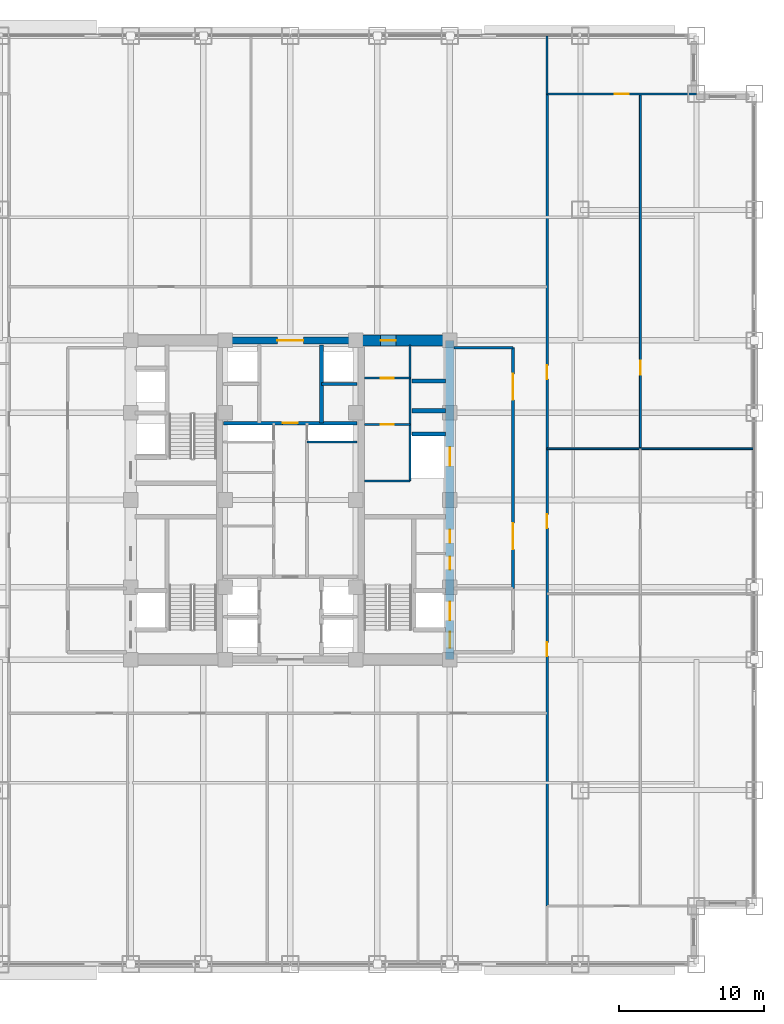
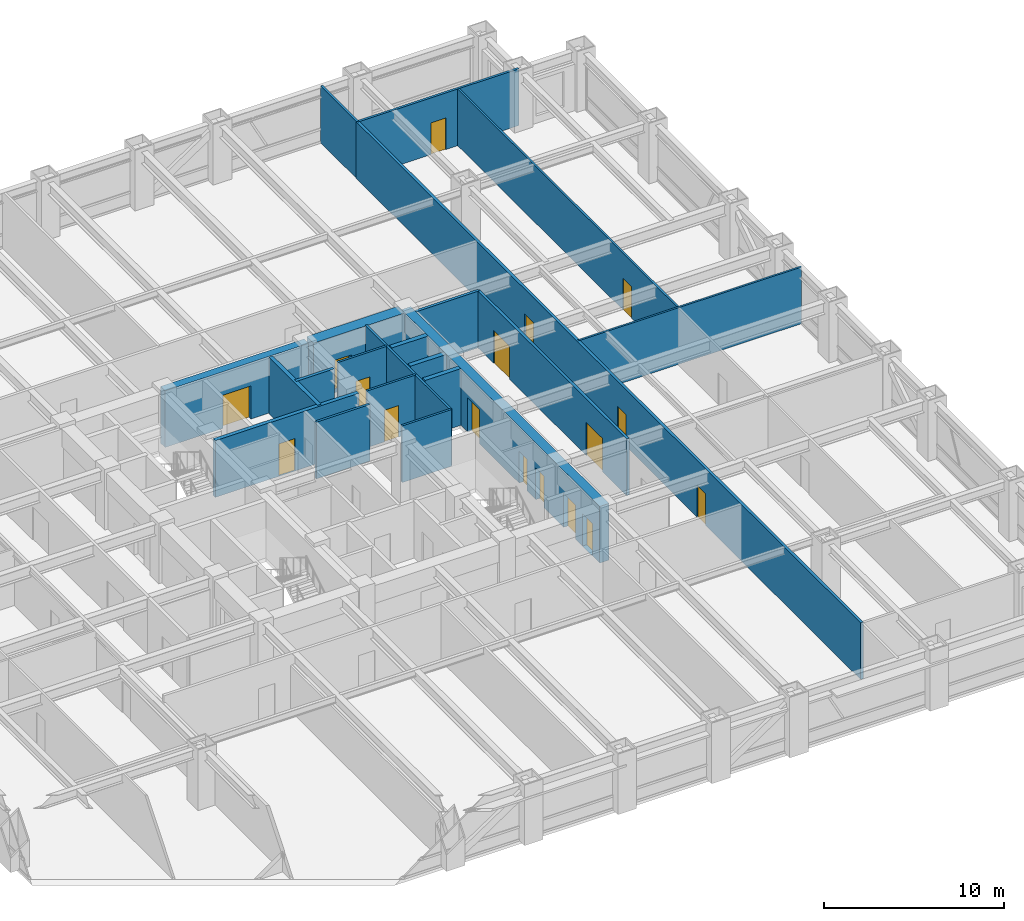
# One storey, part 26 of 32: 21 walls, 17 doors, 17 openings.
"""IFC4 building model written with IfcOpenShell, lengths in metres."""

from ifc_helpers import new_model, si_unit, direction, frame, frame_2d, origin, place, context, subcontext, project, spatial, rectangle, extrude, source, transform, mapped, material, layer, layer_set, type_object, element, fill, save


model = new_model("IFC4")

# Units and contexts
model_context = context("Model", 3, precision=1e-05, world=origin(), true_north=direction((0.0, 1.0)))
body_context = subcontext(model_context, "Body", "Model", "MODEL_VIEW")
ifc_project = project(units=[si_unit("LENGTHUNIT", "METRE"), si_unit("AREAUNIT", "SQUARE_METRE"), si_unit("VOLUMEUNIT", "CUBIC_METRE"), si_unit("PLANEANGLEUNIT", "RADIAN"), si_unit("MASSUNIT", "GRAM", prefix="KILO")], contexts=[model_context])

# Site, building, storey
site_placement = place(None, origin())
site = spatial("IfcSite", under=ifc_project, at=site_placement, CompositionType="ELEMENT")
building_placement = place(site_placement, origin())
building = spatial("IfcBuilding", under=site, at=building_placement, Name="Khorayat Bourse Tower", CompositionType="ELEMENT")
storey_placement = place(building_placement, frame((0.0, 0.0, 128.300048828125)))
storey = spatial("IfcBuildingStorey", under=building, at=storey_placement, Name="L29", CompositionType="ELEMENT", Elevation=128.300048828125)

# Wall, openings, doors
ifc_material_1 = material(Name="Concrete C60/75", Category="concrete")
ifc_layer_1 = layer(ifc_material_1, 0.60009765625)
ifc_layer_set_1 = layer_set([ifc_layer_1], Name="Concrete C60/75")
wall_type_1 = type_object("IfcWallType", Name="WAL-CORE-600", PredefinedType="SHEAR", material=ifc_layer_set_1)
shared_shape_1 = source(origin(), body_context, "Body", "SweptSolid", [
    extrude(rectangle(XDim=22.0, YDim=0.60009765625, at=frame_2d((11.0, 0.0))), origin(), (0.0, 0.0, 1.0), 3.83984375),
])
wall_1_placement = place(storey_placement, frame((11.0, -11.0, 0.0), z_axis=(0.0, 0.0, 1.0), x_axis=(0.0, 1.0, 0.0)))
wall_1 = element("IfcWall", 1, at=wall_1_placement, inside=storey, type_object=wall_type_1, Name="L29 Core Shear Wall CORE-E", PredefinedType="SHEAR", context=body_context, shape_type="MappedRepresentation", body=[
    mapped(shared_shape_1, transform((0.0, 0.0, 0.0), scale=1.0)),
])
shared_shape_2 = source(origin(), body_context, "Body", "SweptSolid", [
    extrude(rectangle(XDim=1.10009765625, YDim=2.199951171875, at=frame_2d((0.550048828125, 1.10009765625))), frame((0.0, 0.31005859375, 0.0), z_axis=(0.0, -1.0, 0.0), x_axis=(1.0, 0.0, 0.0)), (0.0, 0.0, 1.0), 0.6201171875),
])
opening_1_placement = place(wall_1_placement, frame((0.800048828125, 0.0, 0.0)))
opening_1 = element("IfcOpeningElement", 2, at=opening_1_placement, cuts=wall_1, Name="Opening DI-01", PredefinedType="OPENING", context=body_context, shape_type="MappedRepresentation", body=[
    mapped(shared_shape_2, transform((0.0, 0.0, 0.0), scale=1.0)),
])
shared_shape_3 = source(origin(), body_context, "Body", "SweptSolid", [
    extrude(rectangle(XDim=0.89990234375, YDim=2.14990234375, at=frame_2d((0.449951171875, 1.074951171875))), frame((0.0, 0.31005859375, 0.0), z_axis=(0.0, -1.0, 0.0), x_axis=(1.0, 0.0, 0.0)), (0.0, 0.0, 1.0), 0.6201171875),
])
opening_2_placement = place(wall_1_placement, frame((6.199951171875, 0.0, 0.0)))
opening_2 = element("IfcOpeningElement", 3, at=opening_2_placement, cuts=wall_1, Name="Opening DI-06", PredefinedType="OPENING", context=body_context, shape_type="MappedRepresentation", body=[
    mapped(shared_shape_3, transform((0.0, 0.0, 0.0), scale=1.0)),
])
opening_3_placement = place(wall_1_placement, frame((8.050048828125, 0.0, 0.0)))
opening_3 = element("IfcOpeningElement", 4, at=opening_3_placement, cuts=wall_1, Name="Opening DI-06", PredefinedType="OPENING", context=body_context, shape_type="MappedRepresentation", body=[
    mapped(shared_shape_3, transform((0.0, 0.0, 0.0), scale=1.0)),
])
shared_shape_4 = source(origin(), body_context, "Body", "SweptSolid", [
    extrude(rectangle(XDim=1.300048828125, YDim=2.300048828125, at=frame_2d((0.64990234375, 1.14990234375))), frame((0.0, 0.31005859375, 0.0), z_axis=(0.0, -1.0, 0.0), x_axis=(1.0, 0.0, 0.0)), (0.0, 0.0, 1.0), 0.6201171875),
])
opening_4_placement = place(wall_1_placement, frame((2.699951171875, 0.0, 0.0)))
opening_4 = element("IfcOpeningElement", 5, at=opening_4_placement, cuts=wall_1, Name="Opening LD-02", PredefinedType="OPENING", context=body_context, shape_type="MappedRepresentation", body=[
    mapped(shared_shape_4, transform((0.0, 0.0, 0.0), scale=1.0)),
])
opening_5_placement = place(wall_1_placement, frame((13.35009765625, 0.0, 0.0)))
opening_5 = element("IfcOpeningElement", 6, at=opening_5_placement, cuts=wall_1, Name="Opening LD-02", PredefinedType="OPENING", context=body_context, shape_type="MappedRepresentation", body=[
    mapped(shared_shape_4, transform((0.0, 0.0, 0.0), scale=1.0)),
])
ifc_material_2 = material(Name="Fire-rated steel acoustic leaf", Category="steel")
door_type_1 = type_object("IfcDoorType", Name="DR-INT-STAIR-1100", OperationType="NOTDEFINED", PredefinedType="DOOR", material=ifc_material_2)
shared_shape_5 = source(origin(), body_context, "Body", "SweptSolid", [
    extrude(rectangle(XDim=1.10009765625, YDim=2.199951171875, at=frame_2d((0.550048828125, 1.10009765625))), frame((0.0, 0.02490234375, 0.0), z_axis=(0.0, -1.0, 0.0), x_axis=(1.0, 0.0, 0.0)), (0.0, 0.0, 1.0), 0.050048828125),
])
door_1_placement = place(opening_1_placement, origin())
door_1 = element("IfcDoor", 7, at=door_1_placement, inside=storey, type_object=door_type_1, Name="L29 Exit Stair 3 Door", OperationType="SINGLE_SWING_LEFT", OverallHeight=2.199951171875, OverallWidth=1.10009765625, PredefinedType="DOOR", context=body_context, shape_type="MappedRepresentation", body=[
    mapped(shared_shape_5, transform((0.0, 0.0, 0.0), scale=1.0)),
])
fill(opening_1, door_1)
ifc_material_3 = material(Name="Moisture-resistant laminate washroom door")
door_type_2 = type_object("IfcDoorType", Name="DR-INT-WC-900", OperationType="NOTDEFINED", PredefinedType="DOOR", material=ifc_material_3)
shared_shape_6 = source(origin(), body_context, "Body", "SweptSolid", [
    extrude(rectangle(XDim=0.89990234375, YDim=2.14990234375, at=frame_2d((0.449951171875, 1.074951171875))), frame((0.0, 0.02490234375, 0.0), z_axis=(0.0, -1.0, 0.0), x_axis=(1.0, 0.0, 0.0)), (0.0, 0.0, 1.0), 0.050048828125),
])
door_2_placement = place(opening_2_placement, origin())
door_2 = element("IfcDoor", 8, at=door_2_placement, inside=storey, type_object=door_type_2, Name="L29 Comms Closet Door", OperationType="SINGLE_SWING_LEFT", OverallHeight=2.14990234375, OverallWidth=0.89990234375, PredefinedType="DOOR", context=body_context, shape_type="MappedRepresentation", body=[
    mapped(shared_shape_6, transform((0.0, 0.0, 0.0), scale=1.0)),
])
fill(opening_2, door_2)
door_3_placement = place(opening_3_placement, origin())
door_3 = element("IfcDoor", 9, at=door_3_placement, inside=storey, type_object=door_type_2, Name="L29 Cleaner Store Door", OperationType="SINGLE_SWING_RIGHT", OverallHeight=2.14990234375, OverallWidth=0.89990234375, PredefinedType="DOOR", context=body_context, shape_type="MappedRepresentation", body=[
    mapped(shared_shape_6, transform((0.0, 0.0, 0.0), scale=1.0)),
])
fill(opening_3, door_3)
ifc_material_4 = material(Name="Fire-rated stainless-steel sliding landing door", Category="steel")
door_type_3 = type_object("IfcDoorType", Name="DR-LIFT-FF-1300", OperationType="NOTDEFINED", PredefinedType="DOOR", material=ifc_material_4)
shared_shape_7 = source(origin(), body_context, "Body", "SweptSolid", [
    extrude(rectangle(XDim=1.300048828125, YDim=2.300048828125, at=frame_2d((0.64990234375, 1.14990234375))), frame((0.0, 0.02490234375, 0.0), z_axis=(0.0, -1.0, 0.0), x_axis=(1.0, 0.0, 0.0)), (0.0, 0.0, 1.0), 0.050048828125),
])
door_4_placement = place(opening_4_placement, origin())
door_4 = element("IfcDoor", 10, at=door_4_placement, inside=storey, type_object=door_type_3, Name="L29 Lift FFL-02 Sliding Landing Door", OperationType="SLIDING_TO_LEFT", OverallHeight=2.300048828125, OverallWidth=1.300048828125, PredefinedType="DOOR", context=body_context, shape_type="MappedRepresentation", body=[
    mapped(shared_shape_7, transform((0.0, 0.0, 0.0), scale=1.0)),
])
fill(opening_4, door_4)
door_5_placement = place(opening_5_placement, origin())
door_5 = element("IfcDoor", 11, at=door_5_placement, inside=storey, type_object=door_type_3, Name="L29 Lift SVL-01 Sliding Landing Door", OperationType="SLIDING_TO_LEFT", OverallHeight=2.300048828125, OverallWidth=1.300048828125, PredefinedType="DOOR", context=body_context, shape_type="MappedRepresentation", body=[
    mapped(shared_shape_7, transform((0.0, 0.0, 0.0), scale=1.0)),
])
fill(opening_5, door_5)

# Wall, opening, door
ifc_material_5 = material(Name="Concrete C72/90", Category="concrete")
ifc_layer_2 = layer(ifc_material_5, 0.75)
ifc_layer_set_2 = layer_set([ifc_layer_2], Name="Concrete C72/90")
wall_type_2 = type_object("IfcWallType", Name="WAL-CORE-750", PredefinedType="SHEAR", material=ifc_layer_set_2)
shared_shape_8 = source(origin(), body_context, "Body", "SweptSolid", [
    extrude(rectangle(XDim=5.849853515625, YDim=0.75, at=frame_2d((2.9248046875, 0.0))), origin(), (0.0, 0.0, 1.0), 3.83984375),
])
wall_2_placement = place(storey_placement, frame((4.85009765625, 11.0, 0.0), z_axis=(0.0, 0.0, 1.0), x_axis=(1.0, 0.0, 0.0)))
wall_2 = element("IfcWall", 12, at=wall_2_placement, inside=storey, type_object=wall_type_2, Name="L29 Core Shear Wall PIER-EN", PredefinedType="SHEAR", context=body_context, shape_type="MappedRepresentation", body=[
    mapped(shared_shape_8, transform((0.0, 0.0, 0.0), scale=1.0)),
])
shared_shape_9 = source(origin(), body_context, "Body", "SweptSolid", [
    extrude(rectangle(XDim=1.050048828125, YDim=2.199951171875, at=frame_2d((0.52490234375, 1.10009765625))), frame((0.0, 0.385009765625, 0.0), z_axis=(0.0, -1.0, 0.0), x_axis=(1.0, 0.0, 0.0)), (0.0, 0.0, 1.0), 0.77001953125),
])
opening_6_placement = place(wall_2_placement, frame((1.375, 0.0, 0.0)))
opening_6 = element("IfcOpeningElement", 13, at=opening_6_placement, cuts=wall_2, Name="Opening DI-04", PredefinedType="OPENING", context=body_context, shape_type="MappedRepresentation", body=[
    mapped(shared_shape_9, transform((0.0, 0.0, 0.0), scale=1.0)),
])
ifc_material_6 = material(Name="Fire-rated oak veneer suite entrance door")
door_type_4 = type_object("IfcDoorType", Name="DR-INT-SUITE-1050", OperationType="NOTDEFINED", PredefinedType="DOOR", material=ifc_material_6)
shared_shape_10 = source(origin(), body_context, "Body", "SweptSolid", [
    extrude(rectangle(XDim=1.050048828125, YDim=2.199951171875, at=frame_2d((0.52490234375, 1.10009765625))), frame((0.0, 0.02490234375, 0.0), z_axis=(0.0, -1.0, 0.0), x_axis=(1.0, 0.0, 0.0)), (0.0, 0.0, 1.0), 0.050048828125),
])
door_6_placement = place(opening_6_placement, origin())
door_6 = element("IfcDoor", 14, at=door_6_placement, inside=storey, type_object=door_type_4, Name="L29 Core Washroom Lobby Door", OperationType="SINGLE_SWING_LEFT", OverallHeight=2.199951171875, OverallWidth=1.050048828125, PredefinedType="DOOR", context=body_context, shape_type="MappedRepresentation", body=[
    mapped(shared_shape_10, transform((0.0, 0.0, 0.0), scale=1.0)),
])
fill(opening_6, door_6)

ifc_material_7 = material(Name="Concrete C52/65", Category="concrete")
ifc_layer_3 = layer(ifc_material_7, 0.5)
ifc_layer_set_3 = layer_set([ifc_layer_3], Name="Concrete C52/65")
wall_type_3 = type_object("IfcWallType", Name="WAL-CORE-500", PredefinedType="SHEAR", material=ifc_layer_set_3)
shared_shape_11 = source(origin(), body_context, "Body", "SweptSolid", [
    extrude(rectangle(XDim=9.2001953125, YDim=0.5, at=frame_2d((4.60009765625, 0.0))), origin(), (0.0, 0.0, 1.0), 3.83984375),
])
wall_3_placement = place(storey_placement, frame((-4.60009765625, 11.0, 0.0), z_axis=(0.0, 0.0, 1.0), x_axis=(1.0, 0.0, 0.0)))
wall_3 = element("IfcWall", 15, at=wall_3_placement, inside=storey, type_object=wall_type_3, Name="L29 Core Shear Wall CORE-N", PredefinedType="SHEAR", context=body_context, shape_type="MappedRepresentation", body=[
    mapped(shared_shape_11, transform((0.0, 0.0, 0.0), scale=1.0)),
])
shared_shape_12 = source(origin(), body_context, "Body", "SweptSolid", [
    extrude(rectangle(XDim=1.800048828125, YDim=2.25, at=frame_2d((0.89990234375, 1.125))), frame((0.0, 0.260009765625, 0.0), z_axis=(0.0, -1.0, 0.0), x_axis=(1.0, 0.0, 0.0)), (0.0, 0.0, 1.0), 0.52001953125),
])
opening_7_placement = place(wall_3_placement, frame((3.699951171875, 0.0, 0.0)))
opening_7 = element("IfcOpeningElement", 16, at=opening_7_placement, cuts=wall_3, Name="Opening DI-03", PredefinedType="OPENING", context=body_context, shape_type="MappedRepresentation", body=[
    mapped(shared_shape_12, transform((0.0, 0.0, 0.0), scale=1.0)),
])
ifc_material_8 = material(Name="Fire-rated hardwood vision-panel double leaf", Category="wood")
door_type_5 = type_object("IfcDoorType", Name="DR-INT-CORR-1800", OperationType="NOTDEFINED", PredefinedType="DOOR", material=ifc_material_8)
shared_shape_13 = source(origin(), body_context, "Body", "SweptSolid", [
    extrude(rectangle(XDim=1.800048828125, YDim=2.25, at=frame_2d((0.89990234375, 1.125))), frame((0.0, 0.02490234375, 0.0), z_axis=(0.0, -1.0, 0.0), x_axis=(1.0, 0.0, 0.0)), (0.0, 0.0, 1.0), 0.050048828125),
])
door_7_placement = place(opening_7_placement, origin())
door_7 = element("IfcDoor", 17, at=door_7_placement, inside=storey, type_object=door_type_5, Name="L29 Mid-Rise Lift Lobby Door", OperationType="SINGLE_SWING_RIGHT", OverallHeight=2.25, OverallWidth=1.800048828125, PredefinedType="DOOR", context=body_context, shape_type="MappedRepresentation", body=[
    mapped(shared_shape_13, transform((0.0, 0.0, 0.0), scale=1.0)),
])
fill(opening_7, door_7)

# Walls
ifc_material_9 = material(Name="Concrete C50/60", Category="concrete")
ifc_layer_4 = layer(ifc_material_9, 0.300048828125)
ifc_layer_set_4 = layer_set([ifc_layer_4], Name="Concrete C50/60")
wall_type_4 = type_object("IfcWallType", Name="WAL-SHAFT-300", PredefinedType="SHEAR", material=ifc_layer_set_4)
shared_shape_14 = source(origin(), body_context, "Body", "SweptSolid", [
    extrude(rectangle(XDim=2.300048828125, YDim=0.300048828125, at=frame_2d((1.14990234375, 0.0))), origin(), (0.0, 0.0, 1.0), 3.83984375),
])
for number, where, z_axis, x_axis, name in (
    (18, (8.39990234375, 4.550048828125, 0.0), (0.0, 0.0, 1.0), (1.0, 0.0, 0.0), "L29 Partition WAL-L29-EPIER-SVLN"),
    (19, (8.39990234375, 6.14990234375, 0.0), (0.0, 0.0, 1.0), (1.0, 0.0, 0.0), "L29 Partition WAL-L29-EPIER-H3S"),
    (20, (8.39990234375, 8.199951171875, 0.0), (0.0, 0.0, 1.0), (1.0, 0.0, 0.0), "L29 Partition WAL-L29-EPIER-H34"),
):
    element("IfcWall", number, at=place(storey_placement, frame(where, z_axis=z_axis, x_axis=x_axis)), inside=storey, type_object=wall_type_4, Name=name, PredefinedType="SHEAR", context=body_context, shape_type="MappedRepresentation", body=[
        mapped(shared_shape_14, transform((0.0, 0.0, 0.0), scale=1.0)),
    ])
ifc_material_10 = material(Name="Moisture-resistant masonry partition", Category="masonry")
ifc_layer_5 = layer(ifc_material_10, 0.139892578125)
ifc_layer_set_5 = layer_set([ifc_layer_5], Name="Moisture-resistant masonry partition")
wall_type_5 = type_object("IfcWallType", Name="WAL-PART-WET-140", PredefinedType="PARTITIONING", material=ifc_layer_set_5)
shared_shape_15 = source(origin(), body_context, "Body", "SweptSolid", [
    extrude(rectangle(XDim=9.39990234375, YDim=0.139892578125, at=frame_2d((4.699951171875, 0.0))), origin(), (0.0, 0.0, 1.0), 3.83984375),
])
wall_4_placement = place(storey_placement, frame((8.25, 1.300048828125, 0.0), z_axis=(0.0, 0.0, 1.0), x_axis=(0.0, 1.0, 0.0)))
element("IfcWall", 21, at=wall_4_placement, inside=storey, type_object=wall_type_5, Name="L29 Partition WAL-L29-ECORE-E", PredefinedType="PARTITIONING", context=body_context, shape_type="MappedRepresentation", body=[
    mapped(shared_shape_15, transform((0.0, 0.0, 0.0), scale=1.0)),
])
shared_shape_16 = source(origin(), body_context, "Body", "SweptSolid", [
    extrude(rectangle(XDim=3.14990234375, YDim=0.139892578125, at=frame_2d((1.574951171875, 0.0))), origin(), (0.0, 0.0, 1.0), 3.83984375),
])
wall_5_placement = place(storey_placement, frame((5.10009765625, 1.300048828125, 0.0), z_axis=(0.0, 0.0, 1.0), x_axis=(1.0, 0.0, 0.0)))
element("IfcWall", 22, at=wall_5_placement, inside=storey, type_object=wall_type_5, Name="L29 Partition WAL-L29-ECORE-S", PredefinedType="PARTITIONING", context=body_context, shape_type="MappedRepresentation", body=[
    mapped(shared_shape_16, transform((0.0, 0.0, 0.0), scale=1.0)),
])

# Wall, opening, door
wall_6_placement = place(storey_placement, frame((5.10009765625, 8.39990234375, 0.0), z_axis=(0.0, 0.0, 1.0), x_axis=(1.0, 0.0, 0.0)))
wall_6 = element("IfcWall", 23, at=wall_6_placement, inside=storey, type_object=wall_type_5, Name="L29 Partition WAL-L29-ECW-TOP", PredefinedType="PARTITIONING", context=body_context, shape_type="MappedRepresentation", body=[
    mapped(shared_shape_16, transform((0.0, 0.0, 0.0), scale=1.0)),
])
shared_shape_17 = source(origin(), body_context, "Body", "SweptSolid", [
    extrude(rectangle(XDim=0.89990234375, YDim=2.14990234375, at=frame_2d((0.449951171875, 1.074951171875))), frame((0.0, 0.079833984375, 0.0), z_axis=(0.0, -1.0, 0.0), x_axis=(1.0, 0.0, 0.0)), (0.0, 0.0, 1.0), 0.159912109375),
])
opening_8_placement = place(wall_6_placement, frame((1.1298828125, 0.0, 0.0)))
opening_8 = element("IfcOpeningElement", 24, at=opening_8_placement, cuts=wall_6, Name="Opening DI-06", PredefinedType="OPENING", context=body_context, shape_type="MappedRepresentation", body=[
    mapped(shared_shape_17, transform((0.0, 0.0, 0.0), scale=1.0)),
])
door_8_placement = place(opening_8_placement, origin())
door_8 = element("IfcDoor", 25, at=door_8_placement, inside=storey, type_object=door_type_2, Name="L29 Accessible WC Door", OperationType="SINGLE_SWING_LEFT", OverallHeight=2.14990234375, OverallWidth=0.89990234375, PredefinedType="DOOR", context=body_context, shape_type="MappedRepresentation", body=[
    mapped(shared_shape_6, transform((0.0, 0.0, 0.0), scale=1.0)),
])
fill(opening_8, door_8)

wall_7_placement = place(storey_placement, frame((5.10009765625, 5.199951171875, 0.0), z_axis=(0.0, 0.0, 1.0), x_axis=(1.0, 0.0, 0.0)))
wall_7 = element("IfcWall", 26, at=wall_7_placement, inside=storey, type_object=wall_type_5, Name="L29 Partition WAL-L29-ECW-HZ", PredefinedType="PARTITIONING", context=body_context, shape_type="MappedRepresentation", body=[
    mapped(shared_shape_16, transform((0.0, 0.0, 0.0), scale=1.0)),
])
opening_9_placement = place(wall_7_placement, frame((1.1298828125, 0.0, 0.0)))
opening_9 = element("IfcOpeningElement", 27, at=opening_9_placement, cuts=wall_7, Name="Opening DI-06", PredefinedType="OPENING", context=body_context, shape_type="MappedRepresentation", body=[
    mapped(shared_shape_17, transform((0.0, 0.0, 0.0), scale=1.0)),
])
door_9_placement = place(opening_9_placement, origin())
door_9 = element("IfcDoor", 28, at=door_9_placement, inside=storey, type_object=door_type_2, Name="L29 Shared Washroom Door", OperationType="SINGLE_SWING_RIGHT", OverallHeight=2.14990234375, OverallWidth=0.89990234375, PredefinedType="DOOR", context=body_context, shape_type="MappedRepresentation", body=[
    mapped(shared_shape_6, transform((0.0, 0.0, 0.0), scale=1.0)),
])
fill(opening_9, door_9)

# Wall
ifc_material_11 = material(Name="Gypsum plasterboard acoustic stud wall")
ifc_layer_6 = layer(ifc_material_11, 0.179931640625)
ifc_layer_set_6 = layer_set([ifc_layer_6], Name="Gypsum plasterboard acoustic stud wall")
wall_type_6 = type_object("IfcWallType", Name="WAL-PART-CORR-180", PredefinedType="PARTITIONING", material=ifc_layer_set_6)
shared_shape_18 = source(origin(), body_context, "Body", "SweptSolid", [
    extrude(rectangle(XDim=4.050048828125, YDim=0.179931640625, at=frame_2d((2.02490234375, 0.0))), origin(), (0.0, 0.0, 1.0), 3.83984375),
])
wall_8_placement = place(storey_placement, frame((11.300048828125, 10.5, 0.0), z_axis=(0.0, 0.0, 1.0), x_axis=(1.0, 0.0, 0.0)))
element("IfcWall", 29, at=wall_8_placement, inside=storey, type_object=wall_type_6, Name="L29 Partition WAL-L29-ELOB-N", PredefinedType="PARTITIONING", context=body_context, shape_type="MappedRepresentation", body=[
    mapped(shared_shape_18, transform((0.0, 0.0, 0.0), scale=1.0)),
])

# Wall, openings, doors
shared_shape_19 = source(origin(), body_context, "Body", "SweptSolid", [
    extrude(rectangle(XDim=16.60009765625, YDim=0.179931640625, at=frame_2d((8.300048828125, 0.0))), origin(), (0.0, 0.0, 1.0), 3.83984375),
])
wall_9_placement = place(storey_placement, frame((15.35009765625, -6.10009765625, 0.0), z_axis=(0.0, 0.0, 1.0), x_axis=(0.0, 1.0, 0.0)))
wall_9 = element("IfcWall", 30, at=wall_9_placement, inside=storey, type_object=wall_type_6, Name="L29 Partition WAL-L29-ELOB-E", PredefinedType="PARTITIONING", context=body_context, shape_type="MappedRepresentation", body=[
    mapped(shared_shape_19, transform((0.0, 0.0, 0.0), scale=1.0)),
])
shared_shape_20 = source(origin(), body_context, "Body", "SweptSolid", [
    extrude(rectangle(XDim=1.800048828125, YDim=2.25, at=frame_2d((0.89990234375, 1.125))), frame((0.0, 0.099853515625, 0.0), z_axis=(0.0, -1.0, 0.0), x_axis=(1.0, 0.0, 0.0)), (0.0, 0.0, 1.0), 0.199951171875),
])
opening_10_placement = place(wall_9_placement, frame((2.699951171875, 0.0, 0.0)))
opening_10 = element("IfcOpeningElement", 31, at=opening_10_placement, cuts=wall_9, Name="Opening DI-03", PredefinedType="OPENING", context=body_context, shape_type="MappedRepresentation", body=[
    mapped(shared_shape_20, transform((0.0, 0.0, 0.0), scale=1.0)),
])
opening_11_placement = place(wall_9_placement, frame((13.0, 0.0, 0.0)))
opening_11 = element("IfcOpeningElement", 32, at=opening_11_placement, cuts=wall_9, Name="Opening DI-03", PredefinedType="OPENING", context=body_context, shape_type="MappedRepresentation", body=[
    mapped(shared_shape_20, transform((0.0, 0.0, 0.0), scale=1.0)),
])
door_10_placement = place(opening_10_placement, origin())
door_10 = element("IfcDoor", 33, at=door_10_placement, inside=storey, type_object=door_type_5, Name="L29 East Core Lobby South Door", OperationType="SINGLE_SWING_RIGHT", OverallHeight=2.25, OverallWidth=1.800048828125, PredefinedType="DOOR", context=body_context, shape_type="MappedRepresentation", body=[
    mapped(shared_shape_13, transform((0.0, 0.0, 0.0), scale=1.0)),
])
fill(opening_10, door_10)
door_11_placement = place(opening_11_placement, origin())
door_11 = element("IfcDoor", 34, at=door_11_placement, inside=storey, type_object=door_type_5, Name="L29 East Core Lobby North Door", OperationType="SINGLE_SWING_LEFT", OverallHeight=2.25, OverallWidth=1.800048828125, PredefinedType="DOOR", context=body_context, shape_type="MappedRepresentation", body=[
    mapped(shared_shape_13, transform((0.0, 0.0, 0.0), scale=1.0)),
])
fill(opening_11, door_11)

# Walls
ifc_material_12 = material(Name="Gypsum plasterboard twin-frame partition")
ifc_layer_7 = layer(ifc_material_12, 0.14990234375)
ifc_layer_set_7 = layer_set([ifc_layer_7], Name="Gypsum plasterboard twin-frame partition")
wall_type_7 = type_object("IfcWallType", Name="WAL-PART-SUITE-150", PredefinedType="PARTITIONING", material=ifc_layer_set_7)
shared_shape_21 = source(origin(), body_context, "Body", "SweptSolid", [
    extrude(rectangle(XDim=3.4501953125, YDim=0.14990234375, at=frame_2d((1.72509765625, 0.0))), origin(), (0.0, 0.0, 1.0), 3.83984375),
])
wall_10_placement = place(storey_placement, frame((1.14990234375, 4.0, 0.0), z_axis=(0.0, 0.0, 1.0), x_axis=(1.0, 0.0, 0.0)))
element("IfcWall", 35, at=wall_10_placement, inside=storey, type_object=wall_type_7, Name="L29 Partition WAL-L29-CRSE-S", PredefinedType="PARTITIONING", context=body_context, shape_type="MappedRepresentation", body=[
    mapped(shared_shape_21, transform((0.0, 0.0, 0.0), scale=1.0)),
])
shared_shape_22 = source(origin(), body_context, "Body", "SweptSolid", [
    extrude(rectangle(XDim=5.39990234375, YDim=0.25, at=frame_2d((2.699951171875, 0.0))), origin(), (0.0, 0.0, 1.0), 3.83984375),
])
wall_11_placement = place(storey_placement, frame((2.14990234375, 5.300048828125, 0.0), z_axis=(0.0, 0.0, 1.0), x_axis=(0.0, 1.0, 0.0)))
element("IfcWall", 36, at=wall_11_placement, inside=storey, type_object=wall_type_4, Name="L29 Partition WAL-L29-B2-E", PredefinedType="SHEAR", context=body_context, shape_type="MappedRepresentation", body=[
    mapped(shared_shape_22, transform((0.0, 0.0, 0.0), scale=1.0)),
])
shared_shape_23 = source(origin(), body_context, "Body", "SweptSolid", [
    extrude(rectangle(XDim=2.4501953125, YDim=0.199951171875, at=frame_2d((1.22509765625, 0.0))), origin(), (0.0, 0.0, 1.0), 3.83984375),
])
wall_12_placement = place(storey_placement, frame((2.14990234375, 8.0, 0.0), z_axis=(0.0, 0.0, 1.0), x_axis=(1.0, 0.0, 0.0)))
element("IfcWall", 37, at=wall_12_placement, inside=storey, type_object=wall_type_4, Name="L29 Partition WAL-L29-B2-ME", PredefinedType="SHEAR", context=body_context, shape_type="MappedRepresentation", body=[
    mapped(shared_shape_23, transform((0.0, 0.0, 0.0), scale=1.0)),
])

# Wall, opening, door
shared_shape_24 = source(origin(), body_context, "Body", "SweptSolid", [
    extrude(rectangle(XDim=9.2001953125, YDim=0.25, at=frame_2d((4.60009765625, 0.0))), origin(), (0.0, 0.0, 1.0), 3.83984375),
])
wall_13_placement = place(storey_placement, frame((-4.60009765625, 5.300048828125, 0.0), z_axis=(0.0, 0.0, 1.0), x_axis=(1.0, 0.0, 0.0)))
wall_13 = element("IfcWall", 38, at=wall_13_placement, inside=storey, type_object=wall_type_4, Name="L29 Partition WAL-L29-B2-S", PredefinedType="SHEAR", context=body_context, shape_type="MappedRepresentation", body=[
    mapped(shared_shape_24, transform((0.0, 0.0, 0.0), scale=1.0)),
])
shared_shape_25 = source(origin(), body_context, "Body", "SweptSolid", [
    extrude(rectangle(XDim=1.050048828125, YDim=2.199951171875, at=frame_2d((0.52490234375, 1.10009765625))), frame((0.0, 0.135009765625, 0.0), z_axis=(0.0, -1.0, 0.0), x_axis=(1.0, 0.0, 0.0)), (0.0, 0.0, 1.0), 0.27001953125),
])
opening_12_placement = place(wall_13_placement, frame((4.074951171875, 0.0, 0.0)))
opening_12 = element("IfcOpeningElement", 39, at=opening_12_placement, cuts=wall_13, Name="Opening DI-04", PredefinedType="OPENING", context=body_context, shape_type="MappedRepresentation", body=[
    mapped(shared_shape_25, transform((0.0, 0.0, 0.0), scale=1.0)),
])
door_12_placement = place(opening_12_placement, origin())
door_12 = element("IfcDoor", 40, at=door_12_placement, inside=storey, type_object=door_type_4, Name="L29 Core Spine North Door", OperationType="SINGLE_SWING_RIGHT", OverallHeight=2.199951171875, OverallWidth=1.050048828125, PredefinedType="DOOR", context=body_context, shape_type="MappedRepresentation", body=[
    mapped(shared_shape_10, transform((0.0, 0.0, 0.0), scale=1.0)),
])
fill(opening_12, door_12)

# Walls
shared_shape_26 = source(origin(), body_context, "Body", "SweptSolid", [
    extrude(rectangle(XDim=4.0, YDim=0.14990234375, at=frame_2d((2.0, 0.0))), origin(), (0.0, 0.0, 1.0), 3.83984375),
])
wall_14_placement = place(storey_placement, frame((17.699951171875, 28.0, 0.0), z_axis=(0.0, 0.0, 1.0), x_axis=(0.0, 1.0, 0.0)))
element("IfcWall", 41, at=wall_14_placement, inside=storey, type_object=wall_type_7, Name="L29 Partition WAL-L29-NCE-END", PredefinedType="PARTITIONING", context=body_context, shape_type="MappedRepresentation", body=[
    mapped(shared_shape_26, transform((0.0, 0.0, 0.0), scale=1.0)),
])
ifc_material_13 = material(Name="Gypsum plasterboard partition")
ifc_layer_8 = layer(ifc_material_13, 0.125)
ifc_layer_set_8 = layer_set([ifc_layer_8], Name="Gypsum plasterboard partition")
wall_type_8 = type_object("IfcWallType", Name="WAL-PART-ROOM-125", PredefinedType="PARTITIONING", material=ifc_layer_set_8)
shared_shape_27 = source(origin(), body_context, "Body", "SweptSolid", [
    extrude(rectangle(XDim=14.300048828125, YDim=0.125, at=frame_2d((7.14990234375, 0.0))), origin(), (0.0, 0.0, 1.0), 3.83984375),
])
wall_15_placement = place(storey_placement, frame((17.699951171875, 3.528076171875, 0.0), z_axis=(0.0, 0.0, 1.0), x_axis=(1.0, 0.0, 0.0)))
element("IfcWall", 42, at=wall_15_placement, inside=storey, type_object=wall_type_8, Name="L29 Partition WAL-L29-EDV-2", PredefinedType="PARTITIONING", context=body_context, shape_type="MappedRepresentation", body=[
    mapped(shared_shape_27, transform((0.0, 0.0, 0.0), scale=1.0)),
])

# Wall, openings, doors
shared_shape_28 = source(origin(), body_context, "Body", "SweptSolid", [
    extrude(rectangle(XDim=56.0, YDim=0.179931640625, at=frame_2d((28.0, 0.0))), origin(), (0.0, 0.0, 1.0), 3.83984375),
])
wall_16_placement = place(storey_placement, frame((17.699951171875, -28.0, 0.0), z_axis=(0.0, 0.0, 1.0), x_axis=(0.0, 1.0, 0.0)))
wall_16 = element("IfcWall", 43, at=wall_16_placement, inside=storey, type_object=wall_type_6, Name="L29 Partition WAL-L29-ECORR", PredefinedType="PARTITIONING", context=body_context, shape_type="MappedRepresentation", body=[
    mapped(shared_shape_28, transform((0.0, 0.0, 0.0), scale=1.0)),
])
shared_shape_29 = source(origin(), body_context, "Body", "SweptSolid", [
    extrude(rectangle(XDim=0.949951171875, YDim=2.14990234375, at=frame_2d((0.47509765625, 1.074951171875))), frame((0.0, 0.099853515625, 0.0), z_axis=(0.0, -1.0, 0.0), x_axis=(1.0, 0.0, 0.0)), (0.0, 0.0, 1.0), 0.199951171875),
])
opening_13_placement = place(wall_16_placement, frame((17.240966796875, 0.0, 0.0)))
opening_13 = element("IfcOpeningElement", 44, at=opening_13_placement, cuts=wall_16, Name="Opening DI-05", PredefinedType="OPENING", context=body_context, shape_type="MappedRepresentation", body=[
    mapped(shared_shape_29, transform((0.0, 0.0, 0.0), scale=1.0)),
])
opening_14_placement = place(wall_16_placement, frame((26.054931640625, 0.0, 0.0)))
opening_14 = element("IfcOpeningElement", 45, at=opening_14_placement, cuts=wall_16, Name="Opening DI-05", PredefinedType="OPENING", context=body_context, shape_type="MappedRepresentation", body=[
    mapped(shared_shape_29, transform((0.0, 0.0, 0.0), scale=1.0)),
])
opening_15_placement = place(wall_16_placement, frame((36.339111328125, 0.0, 0.0)))
opening_15 = element("IfcOpeningElement", 46, at=opening_15_placement, cuts=wall_16, Name="Opening DI-05", PredefinedType="OPENING", context=body_context, shape_type="MappedRepresentation", body=[
    mapped(shared_shape_29, transform((0.0, 0.0, 0.0), scale=1.0)),
])
ifc_material_14 = material(Name="Acoustic oak veneer office door")
door_type_6 = type_object("IfcDoorType", Name="DR-INT-OFFICE-950", OperationType="NOTDEFINED", PredefinedType="DOOR", material=ifc_material_14)
shared_shape_30 = source(origin(), body_context, "Body", "SweptSolid", [
    extrude(rectangle(XDim=0.949951171875, YDim=2.14990234375, at=frame_2d((0.47509765625, 1.074951171875))), frame((0.0, 0.02490234375, 0.0), z_axis=(0.0, -1.0, 0.0), x_axis=(1.0, 0.0, 0.0)), (0.0, 0.0, 1.0), 0.050048828125),
])
door_13_placement = place(opening_13_placement, origin())
door_13 = element("IfcDoor", 47, at=door_13_placement, inside=storey, type_object=door_type_6, Name="L29 Floor Reception Concierge E1 Door", OperationType="SINGLE_SWING_RIGHT", OverallHeight=2.14990234375, OverallWidth=0.949951171875, PredefinedType="DOOR", context=body_context, shape_type="MappedRepresentation", body=[
    mapped(shared_shape_30, transform((0.0, 0.0, 0.0), scale=1.0)),
])
fill(opening_13, door_13)
door_14_placement = place(opening_14_placement, origin())
door_14 = element("IfcDoor", 48, at=door_14_placement, inside=storey, type_object=door_type_6, Name="L29 Members Exchange Lounge E2 Door", OperationType="SINGLE_SWING_LEFT", OverallHeight=2.14990234375, OverallWidth=0.949951171875, PredefinedType="DOOR", context=body_context, shape_type="MappedRepresentation", body=[
    mapped(shared_shape_30, transform((0.0, 0.0, 0.0), scale=1.0)),
])
fill(opening_14, door_14)
door_15_placement = place(opening_15_placement, origin())
door_15 = element("IfcDoor", 49, at=door_15_placement, inside=storey, type_object=door_type_6, Name="L29 Members Club Room E3 Door", OperationType="SINGLE_SWING_RIGHT", OverallHeight=2.14990234375, OverallWidth=0.949951171875, PredefinedType="DOOR", context=body_context, shape_type="MappedRepresentation", body=[
    mapped(shared_shape_30, transform((0.0, 0.0, 0.0), scale=1.0)),
])
fill(opening_15, door_15)

# Wall, opening, door
shared_shape_31 = source(origin(), body_context, "Body", "SweptSolid", [
    extrude(rectangle(XDim=10.300048828125, YDim=0.14990234375, at=frame_2d((5.14990234375, 0.0))), origin(), (0.0, 0.0, 1.0), 3.83984375),
])
wall_17_placement = place(storey_placement, frame((17.699951171875, 28.0, 0.0), z_axis=(0.0, 0.0, 1.0), x_axis=(1.0, 0.0, 0.0)))
wall_17 = element("IfcWall", 50, at=wall_17_placement, inside=storey, type_object=wall_type_7, Name="L29 Partition WAL-L29-CNE", PredefinedType="PARTITIONING", context=body_context, shape_type="MappedRepresentation", body=[
    mapped(shared_shape_31, transform((0.0, 0.0, 0.0), scale=1.0)),
])
shared_shape_32 = source(origin(), body_context, "Body", "SweptSolid", [
    extrude(rectangle(XDim=0.949951171875, YDim=2.14990234375, at=frame_2d((0.47509765625, 1.074951171875))), frame((0.0, 0.0849609375, 0.0), z_axis=(0.0, -1.0, 0.0), x_axis=(1.0, 0.0, 0.0)), (0.0, 0.0, 1.0), 0.169921875),
])
opening_16_placement = place(wall_17_placement, frame((4.675048828125, 0.0, 0.0)))
opening_16 = element("IfcOpeningElement", 51, at=opening_16_placement, cuts=wall_17, Name="Opening DI-05", PredefinedType="OPENING", context=body_context, shape_type="MappedRepresentation", body=[
    mapped(shared_shape_32, transform((0.0, 0.0, 0.0), scale=1.0)),
])
door_16_placement = place(opening_16_placement, origin())
door_16 = element("IfcDoor", 52, at=door_16_placement, inside=storey, type_object=door_type_6, Name="L29 North-East Corner Lounge Door", OperationType="SINGLE_SWING_LEFT", OverallHeight=2.14990234375, OverallWidth=0.949951171875, PredefinedType="DOOR", context=body_context, shape_type="MappedRepresentation", body=[
    mapped(shared_shape_30, transform((0.0, 0.0, 0.0), scale=1.0)),
])
fill(opening_16, door_16)

shared_shape_33 = source(origin(), body_context, "Body", "SweptSolid", [
    extrude(rectangle(XDim=24.471923828125, YDim=0.125, at=frame_2d((12.23583984375, 0.0))), origin(), (0.0, 0.0, 1.0), 3.83984375),
])
wall_18_placement = place(storey_placement, frame((24.135009765625, 3.528076171875, 0.0), z_axis=(0.0, 0.0, 1.0), x_axis=(0.0, 1.0, 0.0)))
wall_18 = element("IfcWall", 53, at=wall_18_placement, inside=storey, type_object=wall_type_8, Name="L29 Partition WAL-L29-EDP-3", PredefinedType="PARTITIONING", context=body_context, shape_type="MappedRepresentation", body=[
    mapped(shared_shape_33, transform((0.0, 0.0, 0.0), scale=1.0)),
])
shared_shape_34 = source(origin(), body_context, "Body", "SweptSolid", [
    extrude(rectangle(XDim=0.949951171875, YDim=2.14990234375, at=frame_2d((0.47509765625, 1.074951171875))), frame((0.0, 0.072509765625, 0.0), z_axis=(0.0, -1.0, 0.0), x_axis=(1.0, 0.0, 0.0)), (0.0, 0.0, 1.0), 0.14501953125),
])
opening_17_placement = place(wall_18_placement, frame((5.111083984375, 0.0, 0.0)))
opening_17 = element("IfcOpeningElement", 54, at=opening_17_placement, cuts=wall_18, Name="Opening DI-05", PredefinedType="OPENING", context=body_context, shape_type="MappedRepresentation", body=[
    mapped(shared_shape_34, transform((0.0, 0.0, 0.0), scale=1.0)),
])
door_17_placement = place(opening_17_placement, origin())
door_17 = element("IfcDoor", 55, at=door_17_placement, inside=storey, type_object=door_type_6, Name="L29 Executive Wellness Fitness Gym E3B Door", OperationType="SINGLE_SWING_RIGHT", OverallHeight=2.14990234375, OverallWidth=0.949951171875, PredefinedType="DOOR", context=body_context, shape_type="MappedRepresentation", body=[
    mapped(shared_shape_30, transform((0.0, 0.0, 0.0), scale=1.0)),
])
fill(opening_17, door_17)

save(model, "model.ifc")
